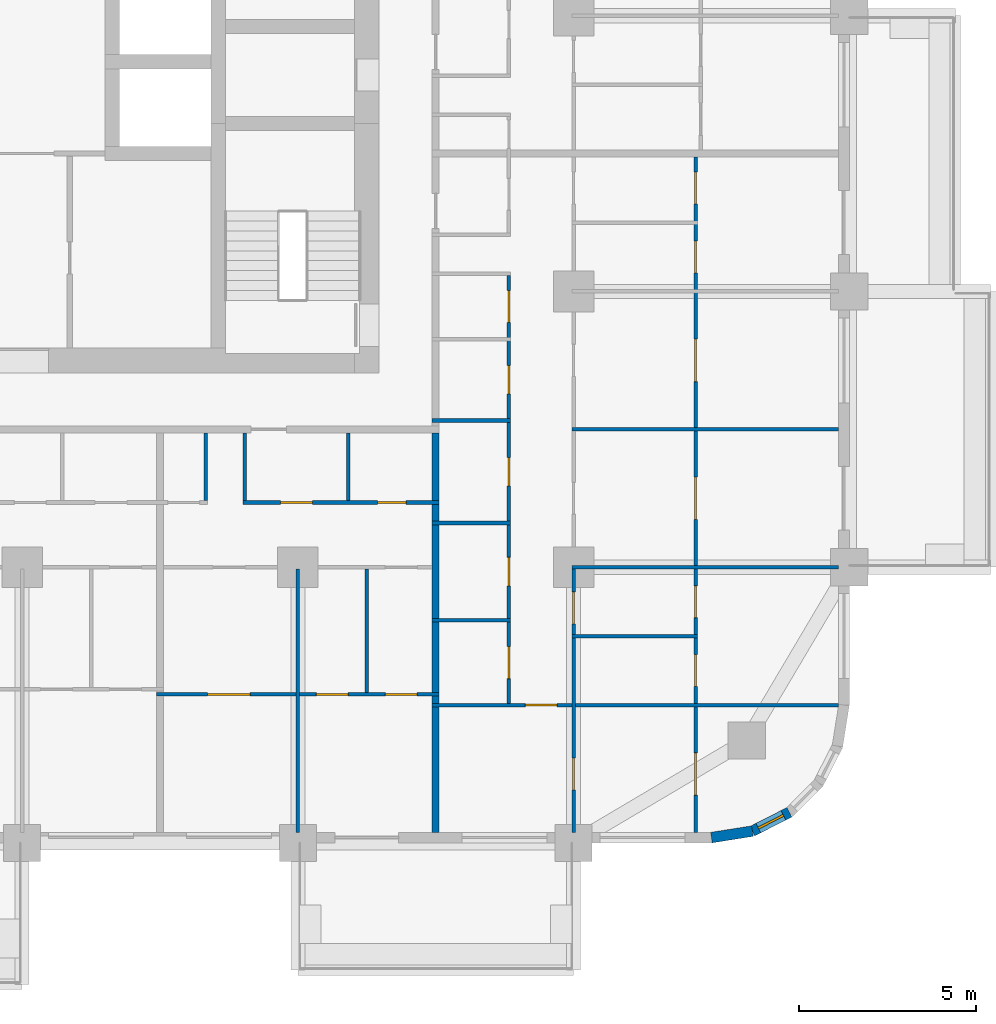
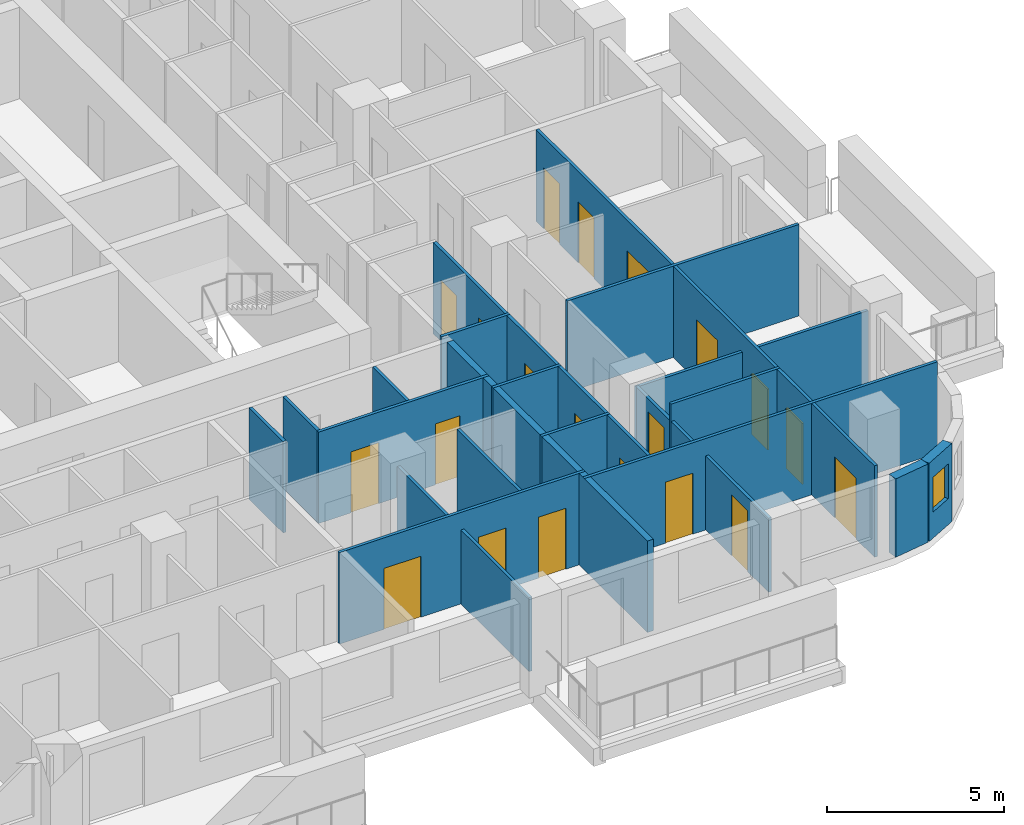
# One storey, part 7 of 17: 20 doors, 20 walls, 1 window, 21 openings.
"""IFC4 building model written with IfcOpenShell, lengths in metres."""

from ifc_helpers import new_model, si_unit, direction, frame, frame_2d, origin, place, context, subcontext, project, spatial, rectangle, extrude, material, layer, layer_set, type_object, element, fill, save


model = new_model("IFC4")

# Units and contexts
model_context = context("Model", 3, precision=1e-05, world=origin(), true_north=direction((0.0, 1.0)))
body_context = subcontext(model_context, "Body", "Model", "MODEL_VIEW")
ifc_project = project(units=[si_unit("LENGTHUNIT", "METRE"), si_unit("AREAUNIT", "SQUARE_METRE"), si_unit("VOLUMEUNIT", "CUBIC_METRE"), si_unit("PLANEANGLEUNIT", "RADIAN"), si_unit("MASSUNIT", "GRAM", prefix="KILO")], contexts=[model_context])

# Site, building, storey
site_placement = place(None, origin())
site = spatial("IfcSite", under=ifc_project, at=site_placement, CompositionType="ELEMENT")
building_placement = place(site_placement, origin())
building = spatial("IfcBuilding", under=site, at=building_placement, Name="Ludao Terraces", CompositionType="ELEMENT")
storey_placement = place(building_placement, frame((0.0, 0.0, 22.89990234375)))
storey = spatial("IfcBuildingStorey", under=building, at=storey_placement, Name="L05", CompositionType="ELEMENT", Elevation=22.89990234375)

# Wall
ifc_material_1 = material(Name="Granite cladding", Category="masonry")
ifc_layer_1 = layer(ifc_material_1, 0.0400390625, Category="stone")
ifc_material_2 = material(Name="Mineral wool")
ifc_layer_2 = layer(ifc_material_2, 0.06005859375)
ifc_material_3 = material(Name="Concrete C40", Category="concrete")
ifc_layer_3 = layer(ifc_material_3, 0.199951171875, Category="concrete")
ifc_layer_set_1 = layer_set([ifc_layer_1, ifc_layer_2, ifc_layer_3], Name="ENV Stone-clad wall 300")
wall_type_1 = type_object("IfcWallType", Name="ENV Stone-clad wall 300", PredefinedType="SOLIDWALL", material=ifc_layer_set_1)
wall_1_placement = place(storey_placement, frame((104.5, 41.75, 0.0), z_axis=(0.0, 0.0, 1.0), x_axis=(0.987678452879, 0.156496880861, 0.0)))
element("IfcWall", 1, at=wall_1_placement, inside=storey, type_object=wall_type_1, Name="EW-L05-SE1", PredefinedType="SOLIDWALL", context=body_context, shape_type="SweptSolid", body=[
    extrude(rectangle(XDim=1.173095703125, YDim=0.300048828125, at=frame_2d((0.58642578125, 0.0))), origin(), (0.0, 0.0, 1.0), 2.7001953125),
])

# Wall, opening, window
wall_2_placement = place(storey_placement, frame((105.65869140625, 41.93359375, 0.0), z_axis=(0.0, 0.0, 1.0), x_axis=(0.890988677504, 0.454025524128, 0.0)))
wall_2 = element("IfcWall", 2, at=wall_2_placement, inside=storey, type_object=wall_type_1, Name="EW-L05-SE2", PredefinedType="SOLIDWALL", context=body_context, shape_type="SweptSolid", body=[
    extrude(rectangle(XDim=1.17333984375, YDim=0.300048828125, at=frame_2d((0.586669921875, 0.0))), origin(), (0.0, 0.0, 1.0), 2.7001953125),
])
opening_1_placement = place(wall_2_placement, frame((0.1865234375, 0.0, 0.89990234375)))
opening_1 = element("IfcOpeningElement", 3, at=opening_1_placement, cuts=wall_2, Name="Opening W3", PredefinedType="OPENING", context=body_context, shape_type="SweptSolid", body=[
    extrude(rectangle(XDim=0.800048828125, YDim=1.199951171875, at=frame_2d((0.39990234375, 0.60009765625))), frame((0.0, 0.16015625, 0.0), z_axis=(0.0, -1.0, 0.0), x_axis=(1.0, 0.0, 0.0)), (0.0, 0.0, 1.0), 0.320068359375),
])
ifc_material_4 = material(Name="Clear glass in aluminium frame", Category="aluminium")
ifc_layer_4 = layer(ifc_material_4, 0.06005859375)
ifc_layer_set_2 = layer_set([ifc_layer_4], Name="ENV Window W3 800x1200")
window_type = type_object("IfcWindowType", Name="ENV Window W3 800x1200", PartitioningType="SINGLE_PANEL", PredefinedType="WINDOW", material=ifc_layer_set_2)
window_placement = place(opening_1_placement, origin())
window = element("IfcWindow", 4, at=window_placement, inside=storey, type_object=window_type, Name="W-L05-SE2", OverallHeight=1.199951171875, OverallWidth=0.800048828125, PartitioningType="SINGLE_PANEL", PredefinedType="WINDOW", context=body_context, shape_type="SweptSolid", body=[
    extrude(rectangle(XDim=0.800048828125, YDim=1.199951171875, at=frame_2d((0.39990234375, 0.60009765625))), frame((0.0, 0.030029296875, 0.0), z_axis=(0.0, -1.0, 0.0), x_axis=(1.0, 0.0, 0.0)), (0.0, 0.0, 1.0), 0.06005859375),
])
fill(opening_1, window)

# Wall, opening, door
ifc_material_5 = material(Name="Gypsum plasterboard", Category="gypsum")
ifc_layer_5 = layer(ifc_material_5, 0.012451171875, Category="gypsum")
ifc_layer_6 = layer(ifc_material_2, 0.06005859375, Name="insulation")
ifc_material_6 = material(Name="Steel Q235", Category="steel")
ifc_layer_7 = layer(ifc_material_6, 0.014892578125, Name="stud")
ifc_layer_8 = layer(ifc_material_5, 0.012451171875, Category="gypsum")
ifc_layer_set_3 = layer_set([ifc_layer_5, ifc_layer_6, ifc_layer_7, ifc_layer_8], Name="INT Partition 100")
wall_type_2 = type_object("IfcWallType", Name="INT Partition 100", PredefinedType="PARTITIONING", material=ifc_layer_set_3)
wall_3_placement = place(storey_placement, frame((96.60009765625, 45.5, 0.0), z_axis=(0.0, 0.0, 1.0), x_axis=(1.0, 0.0, 0.0)))
wall_3 = element("IfcWall", 5, at=wall_3_placement, inside=storey, type_object=wall_type_2, Name="PW-L05-PW001", PredefinedType="PARTITIONING", context=body_context, shape_type="SweptSolid", body=[
    extrude(rectangle(XDim=11.5, YDim=0.10009765625, at=frame_2d((5.75, 0.0))), origin(), (0.0, 0.0, 1.0), 3.150146484375),
])
opening_2_placement = place(wall_3_placement, frame((2.635009765625, 0.0, 0.0)))
opening_2 = element("IfcOpeningElement", 6, at=opening_2_placement, cuts=wall_3, Name="Opening R01-006", PredefinedType="OPENING", context=body_context, shape_type="SweptSolid", body=[
    extrude(rectangle(XDim=0.89990234375, YDim=2.10009765625, at=frame_2d((0.449951171875, 1.050048828125))), frame((0.0, 0.06005859375, 0.0), z_axis=(0.0, -1.0, 0.0), x_axis=(1.0, 0.0, 0.0)), (0.0, 0.0, 1.0), 0.1201171875),
])
ifc_material_7 = material(Name="Timber door leaf", Category="wood")
door_type_1 = type_object("IfcDoorType", Name="INT Room door 900", OperationType="SINGLE_SWING_LEFT", PredefinedType="DOOR", material=ifc_material_7)
door_1_placement = place(opening_2_placement, origin())
door_1 = element("IfcDoor", 7, at=door_1_placement, inside=storey, type_object=door_type_1, Name="DOOR 006", OperationType="SINGLE_SWING_LEFT", OverallHeight=2.10009765625, OverallWidth=0.89990234375, PredefinedType="DOOR", context=body_context, shape_type="SweptSolid", body=[
    extrude(rectangle(XDim=0.89990234375, YDim=2.10009765625, at=frame_2d((0.449951171875, 1.050048828125))), frame((0.0, 0.02490234375, 0.0), z_axis=(0.0, -1.0, 0.0), x_axis=(1.0, 0.0, 0.0)), (0.0, 0.0, 1.0), 0.050048828125),
])
fill(opening_2, door_1)

# Wall, openings, doors
wall_4_placement = place(storey_placement, frame((88.800048828125, 45.800048828125, 0.0), z_axis=(0.0, 0.0, 1.0), x_axis=(1.0, 0.0, 0.0)))
wall_4 = element("IfcWall", 8, at=wall_4_placement, inside=storey, type_object=wall_type_2, Name="PW-L05-PW002", PredefinedType="PARTITIONING", context=body_context, shape_type="SweptSolid", body=[
    extrude(rectangle(XDim=8.0, YDim=0.10009765625, at=frame_2d((4.0, 0.0))), origin(), (0.0, 0.0, 1.0), 3.150146484375),
])
opening_3_placement = place(wall_4_placement, frame((1.449951171875, 0.0, 0.0)))
opening_3 = element("IfcOpeningElement", 9, at=opening_3_placement, cuts=wall_4, Name="Opening R01-007", PredefinedType="OPENING", context=body_context, shape_type="SweptSolid", body=[
    extrude(rectangle(XDim=1.199951171875, YDim=2.10009765625, at=frame_2d((0.60009765625, 1.050048828125))), frame((0.0, 0.06005859375, 0.0), z_axis=(0.0, -1.0, 0.0), x_axis=(1.0, 0.0, 0.0)), (0.0, 0.0, 1.0), 0.1201171875),
])
opening_4_placement = place(wall_4_placement, frame((4.52490234375, 0.0, 0.0)))
opening_4 = element("IfcOpeningElement", 10, at=opening_4_placement, cuts=wall_4, Name="Opening R01-008", PredefinedType="OPENING", context=body_context, shape_type="SweptSolid", body=[
    extrude(rectangle(XDim=0.89990234375, YDim=2.10009765625, at=frame_2d((0.449951171875, 1.050048828125))), frame((0.0, 0.06005859375, 0.0), z_axis=(0.0, -1.0, 0.0), x_axis=(1.0, 0.0, 0.0)), (0.0, 0.0, 1.0), 0.1201171875),
])
opening_5_placement = place(wall_4_placement, frame((6.47509765625, 0.0, 0.0)))
opening_5 = element("IfcOpeningElement", 11, at=opening_5_placement, cuts=wall_4, Name="Opening R01-009", PredefinedType="OPENING", context=body_context, shape_type="SweptSolid", body=[
    extrude(rectangle(XDim=0.89990234375, YDim=2.10009765625, at=frame_2d((0.449951171875, 1.050048828125))), frame((0.0, 0.06005859375, 0.0), z_axis=(0.0, -1.0, 0.0), x_axis=(1.0, 0.0, 0.0)), (0.0, 0.0, 1.0), 0.1201171875),
])
door_type_2 = type_object("IfcDoorType", Name="INT Bathroom door 900", OperationType="SINGLE_SWING_LEFT", PredefinedType="DOOR", material=ifc_material_7)
door_2_placement = place(opening_4_placement, origin())
door_2 = element("IfcDoor", 12, at=door_2_placement, inside=storey, type_object=door_type_2, Name="DOOR 008", OperationType="SINGLE_SWING_LEFT", OverallHeight=2.10009765625, OverallWidth=0.89990234375, PredefinedType="DOOR", context=body_context, shape_type="SweptSolid", body=[
    extrude(rectangle(XDim=0.89990234375, YDim=2.10009765625, at=frame_2d((0.449951171875, 1.050048828125))), frame((0.0, 0.02490234375, 0.0), z_axis=(0.0, -1.0, 0.0), x_axis=(1.0, 0.0, 0.0)), (0.0, 0.0, 1.0), 0.050048828125),
])
fill(opening_4, door_2)
door_type_3 = type_object("IfcDoorType", Name="INT Double door 1200", OperationType="DOUBLE_DOOR_SINGLE_SWING", PredefinedType="DOOR", material=ifc_material_7)
door_3_placement = place(opening_3_placement, origin())
door_3 = element("IfcDoor", 13, at=door_3_placement, inside=storey, type_object=door_type_3, Name="DOOR 007", OperationType="DOUBLE_DOOR_SINGLE_SWING", OverallHeight=2.10009765625, OverallWidth=1.199951171875, PredefinedType="DOOR", context=body_context, shape_type="SweptSolid", body=[
    extrude(rectangle(XDim=1.199951171875, YDim=2.10009765625, at=frame_2d((0.60009765625, 1.050048828125))), frame((0.0, 0.02490234375, 0.0), z_axis=(0.0, -1.0, 0.0), x_axis=(1.0, 0.0, 0.0)), (0.0, 0.0, 1.0), 0.050048828125),
])
fill(opening_3, door_3)
door_4_placement = place(opening_5_placement, origin())
door_4 = element("IfcDoor", 14, at=door_4_placement, inside=storey, type_object=door_type_1, Name="DOOR 009", OperationType="SINGLE_SWING_RIGHT", OverallHeight=2.10009765625, OverallWidth=0.89990234375, PredefinedType="DOOR", context=body_context, shape_type="SweptSolid", body=[
    extrude(rectangle(XDim=0.89990234375, YDim=2.10009765625, at=frame_2d((0.449951171875, 1.050048828125))), frame((0.0, 0.02490234375, 0.0), z_axis=(0.0, -1.0, 0.0), x_axis=(1.0, 0.0, 0.0)), (0.0, 0.0, 1.0), 0.050048828125),
])
fill(opening_5, door_4)

# Walls
wall_5_placement = place(storey_placement, frame((100.550048828125, 47.449951171875, 0.0), z_axis=(0.0, 0.0, 1.0), x_axis=(1.0, 0.0, 0.0)))
element("IfcWall", 15, at=wall_5_placement, inside=storey, type_object=wall_type_2, Name="PW-L05-PW004", PredefinedType="PARTITIONING", context=body_context, shape_type="SweptSolid", body=[
    extrude(rectangle(XDim=3.550048828125, YDim=0.10009765625, at=frame_2d((1.77490234375, 0.0))), origin(), (0.0, 0.0, 1.0), 3.150146484375),
])
wall_6_placement = place(storey_placement, frame((96.60009765625, 47.89990234375, 0.0), z_axis=(0.0, 0.0, 1.0), x_axis=(1.0, 0.0, 0.0)))
element("IfcWall", 16, at=wall_6_placement, inside=storey, type_object=wall_type_2, Name="PW-L05-PW006", PredefinedType="PARTITIONING", context=body_context, shape_type="SweptSolid", body=[
    extrude(rectangle(XDim=2.219970703125, YDim=0.10009765625, at=frame_2d((1.10986328125, 0.0))), origin(), (0.0, 0.0, 1.0), 3.150146484375),
])
wall_7_placement = place(storey_placement, frame((100.550048828125, 49.39990234375, 0.0), z_axis=(0.0, 0.0, 1.0), x_axis=(1.0, 0.0, 0.0)))
element("IfcWall", 17, at=wall_7_placement, inside=storey, type_object=wall_type_2, Name="PW-L05-PW009", PredefinedType="PARTITIONING", context=body_context, shape_type="SweptSolid", body=[
    extrude(rectangle(XDim=7.550048828125, YDim=0.10009765625, at=frame_2d((3.77490234375, 0.0))), origin(), (0.0, 0.0, 1.0), 2.550048828125),
])
wall_8_placement = place(storey_placement, frame((96.60009765625, 50.64990234375, 0.0), z_axis=(0.0, 0.0, 1.0), x_axis=(1.0, 0.0, 0.0)))
element("IfcWall", 18, at=wall_8_placement, inside=storey, type_object=wall_type_2, Name="PW-L05-PW011", PredefinedType="PARTITIONING", context=body_context, shape_type="SweptSolid", body=[
    extrude(rectangle(XDim=2.219970703125, YDim=0.10009765625, at=frame_2d((1.10986328125, 0.0))), origin(), (0.0, 0.0, 1.0), 3.150146484375),
])

# Wall, openings, doors
wall_9_placement = place(storey_placement, frame((91.25, 51.22998046875, 0.0), z_axis=(0.0, 0.0, 1.0), x_axis=(1.0, 0.0, 0.0)))
wall_9 = element("IfcWall", 19, at=wall_9_placement, inside=storey, type_object=wall_type_2, Name="PW-L05-PW014", PredefinedType="PARTITIONING", context=body_context, shape_type="SweptSolid", body=[
    extrude(rectangle(XDim=5.550048828125, YDim=0.10009765625, at=frame_2d((2.77490234375, 0.0))), origin(), (0.0, 0.0, 1.0), 3.150146484375),
])
opening_6_placement = place(wall_9_placement, frame((1.06005859375, 0.0, 0.0)))
opening_6 = element("IfcOpeningElement", 20, at=opening_6_placement, cuts=wall_9, Name="Opening R01-039", PredefinedType="OPENING", context=body_context, shape_type="SweptSolid", body=[
    extrude(rectangle(XDim=0.89990234375, YDim=2.10009765625, at=frame_2d((0.449951171875, 1.050048828125))), frame((0.0, 0.06005859375, 0.0), z_axis=(0.0, -1.0, 0.0), x_axis=(1.0, 0.0, 0.0)), (0.0, 0.0, 1.0), 0.1201171875),
])
opening_7_placement = place(wall_9_placement, frame((3.81005859375, 0.0, 0.0)))
opening_7 = element("IfcOpeningElement", 21, at=opening_7_placement, cuts=wall_9, Name="Opening R01-040", PredefinedType="OPENING", context=body_context, shape_type="SweptSolid", body=[
    extrude(rectangle(XDim=0.800048828125, YDim=2.10009765625, at=frame_2d((0.39990234375, 1.050048828125))), frame((0.0, 0.06005859375, 0.0), z_axis=(0.0, -1.0, 0.0), x_axis=(1.0, 0.0, 0.0)), (0.0, 0.0, 1.0), 0.1201171875),
])
door_5_placement = place(opening_6_placement, origin())
door_5 = element("IfcDoor", 22, at=door_5_placement, inside=storey, type_object=door_type_1, Name="DOOR 039", OperationType="SINGLE_SWING_LEFT", OverallHeight=2.10009765625, OverallWidth=0.89990234375, PredefinedType="DOOR", context=body_context, shape_type="SweptSolid", body=[
    extrude(rectangle(XDim=0.89990234375, YDim=2.10009765625, at=frame_2d((0.449951171875, 1.050048828125))), frame((0.0, 0.02490234375, 0.0), z_axis=(0.0, -1.0, 0.0), x_axis=(1.0, 0.0, 0.0)), (0.0, 0.0, 1.0), 0.050048828125),
])
fill(opening_6, door_5)
door_type_4 = type_object("IfcDoorType", Name="INT Store door 800", OperationType="SINGLE_SWING_LEFT", PredefinedType="DOOR", material=ifc_material_7)
door_6_placement = place(opening_7_placement, origin())
door_6 = element("IfcDoor", 23, at=door_6_placement, inside=storey, type_object=door_type_4, Name="DOOR 040", OperationType="SINGLE_SWING_RIGHT", OverallHeight=2.10009765625, OverallWidth=0.800048828125, PredefinedType="DOOR", context=body_context, shape_type="SweptSolid", body=[
    extrude(rectangle(XDim=0.800048828125, YDim=2.10009765625, at=frame_2d((0.39990234375, 1.050048828125))), frame((0.0, 0.02490234375, 0.0), z_axis=(0.0, -1.0, 0.0), x_axis=(1.0, 0.0, 0.0)), (0.0, 0.0, 1.0), 0.050048828125),
])
fill(opening_7, door_6)

# Walls
wall_10_placement = place(storey_placement, frame((100.550048828125, 53.300048828125, 0.0), z_axis=(0.0, 0.0, 1.0), x_axis=(1.0, 0.0, 0.0)))
element("IfcWall", 24, at=wall_10_placement, inside=storey, type_object=wall_type_2, Name="PW-L05-PW018", PredefinedType="PARTITIONING", context=body_context, shape_type="SweptSolid", body=[
    extrude(rectangle(XDim=7.550048828125, YDim=0.10009765625, at=frame_2d((3.77490234375, 0.0))), origin(), (0.0, 0.0, 1.0), 3.150146484375),
])
wall_11_placement = place(storey_placement, frame((96.60009765625, 53.550048828125, 0.0), z_axis=(0.0, 0.0, 1.0), x_axis=(1.0, 0.0, 0.0)))
element("IfcWall", 25, at=wall_11_placement, inside=storey, type_object=wall_type_2, Name="PW-L05-PW019", PredefinedType="PARTITIONING", context=body_context, shape_type="SweptSolid", body=[
    extrude(rectangle(XDim=2.219970703125, YDim=0.10009765625, at=frame_2d((1.10986328125, 0.0))), origin(), (0.0, 0.0, 1.0), 3.150146484375),
])
for number, where, z_axis, x_axis, name in (
    (26, (90.199951171875, 51.280029296875, 0.0), (0.0, 0.0, 1.0), (0.0, 1.0, 0.0), "PW-L05-PW103"),
    (27, (91.300048828125, 51.280029296875, 0.0), (0.0, 0.0, 1.0), (0.0, 1.0, 0.0), "PW-L05-PW104"),
):
    element("IfcWall", number, at=place(storey_placement, frame(where, z_axis=z_axis, x_axis=x_axis)), inside=storey, type_object=wall_type_2, Name=name, PredefinedType="PARTITIONING", context=body_context, shape_type="SweptSolid", body=[
        extrude(rectangle(XDim=1.920166015625, YDim=0.10009765625, at=frame_2d((0.9599609375, 0.0))), origin(), (0.0, 0.0, 1.0), 3.150146484375),
    ])
wall_12_placement = place(storey_placement, frame((92.800048828125, 41.900146484375, 0.0), z_axis=(0.0, 0.0, 1.0), x_axis=(0.0, 1.0, 0.0)))
element("IfcWall", 28, at=wall_12_placement, inside=storey, type_object=wall_type_2, Name="PW-L05-PW105", PredefinedType="PARTITIONING", context=body_context, shape_type="SweptSolid", body=[
    extrude(rectangle(XDim=7.449951171875, YDim=0.10009765625, at=frame_2d((3.72509765625, 0.0))), origin(), (0.0, 0.0, 1.0), 2.550048828125),
])
wall_13_placement = place(storey_placement, frame((94.219970703125, 51.280029296875, 0.0), z_axis=(0.0, 0.0, 1.0), x_axis=(0.0, 1.0, 0.0)))
element("IfcWall", 29, at=wall_13_placement, inside=storey, type_object=wall_type_2, Name="PW-L05-PW107", PredefinedType="PARTITIONING", context=body_context, shape_type="SweptSolid", body=[
    extrude(rectangle(XDim=1.920166015625, YDim=0.10009765625, at=frame_2d((0.9599609375, 0.0))), origin(), (0.0, 0.0, 1.0), 3.150146484375),
])
wall_14_placement = place(storey_placement, frame((94.75, 45.85009765625, 0.0), z_axis=(0.0, 0.0, 1.0), x_axis=(0.0, 1.0, 0.0)))
element("IfcWall", 30, at=wall_14_placement, inside=storey, type_object=wall_type_2, Name="PW-L05-PW108", PredefinedType="PARTITIONING", context=body_context, shape_type="SweptSolid", body=[
    extrude(rectangle(XDim=3.5, YDim=0.10009765625, at=frame_2d((1.75, 0.0))), origin(), (0.0, 0.0, 1.0), 3.150146484375),
])

# Wall, openings, doors
wall_15_placement = place(storey_placement, frame((98.77001953125, 45.550048828125, 0.0), z_axis=(0.0, 0.0, 1.0), x_axis=(0.0, 1.0, 0.0)))
wall_15 = element("IfcWall", 31, at=wall_15_placement, inside=storey, type_object=wall_type_2, Name="PW-L05-PW112", PredefinedType="PARTITIONING", context=body_context, shape_type="SweptSolid", body=[
    extrude(rectangle(XDim=12.10009765625, YDim=0.10009765625, at=frame_2d((6.050048828125, 0.0))), origin(), (0.0, 0.0, 1.0), 3.150146484375),
])
opening_8_placement = place(wall_15_placement, frame((0.699951171875, 0.0, 0.0)))
opening_8 = element("IfcOpeningElement", 32, at=opening_8_placement, cuts=wall_15, Name="Opening R01-018", PredefinedType="OPENING", context=body_context, shape_type="SweptSolid", body=[
    extrude(rectangle(XDim=0.89990234375, YDim=2.10009765625, at=frame_2d((0.449951171875, 1.050048828125))), frame((0.0, 0.06005859375, 0.0), z_axis=(0.0, -1.0, 0.0), x_axis=(1.0, 0.0, 0.0)), (0.0, 0.0, 1.0), 0.1201171875),
])
opening_9_placement = place(wall_15_placement, frame((3.324951171875, 0.0, 0.0)))
opening_9 = element("IfcOpeningElement", 33, at=opening_9_placement, cuts=wall_15, Name="Opening R01-024", PredefinedType="OPENING", context=body_context, shape_type="SweptSolid", body=[
    extrude(rectangle(XDim=0.800048828125, YDim=2.10009765625, at=frame_2d((0.39990234375, 1.050048828125))), frame((0.0, 0.06005859375, 0.0), z_axis=(0.0, -1.0, 0.0), x_axis=(1.0, 0.0, 0.0)), (0.0, 0.0, 1.0), 0.1201171875),
])
opening_10_placement = place(wall_15_placement, frame((6.14990234375, 0.0, 0.0)))
opening_10 = element("IfcOpeningElement", 34, at=opening_10_placement, cuts=wall_15, Name="Opening R01-045", PredefinedType="OPENING", context=body_context, shape_type="SweptSolid", body=[
    extrude(rectangle(XDim=0.800048828125, YDim=2.10009765625, at=frame_2d((0.39990234375, 1.050048828125))), frame((0.0, 0.06005859375, 0.0), z_axis=(0.0, -1.0, 0.0), x_axis=(1.0, 0.0, 0.0)), (0.0, 0.0, 1.0), 0.1201171875),
])
opening_11_placement = place(wall_15_placement, frame((8.75, 0.0, 0.0)))
opening_11 = element("IfcOpeningElement", 35, at=opening_11_placement, cuts=wall_15, Name="Opening R01-050", PredefinedType="OPENING", context=body_context, shape_type="SweptSolid", body=[
    extrude(rectangle(XDim=0.800048828125, YDim=2.10009765625, at=frame_2d((0.39990234375, 1.050048828125))), frame((0.0, 0.06005859375, 0.0), z_axis=(0.0, -1.0, 0.0), x_axis=(1.0, 0.0, 0.0)), (0.0, 0.0, 1.0), 0.1201171875),
])
opening_12_placement = place(wall_15_placement, frame((10.77490234375, 0.0, 0.0)))
opening_12 = element("IfcOpeningElement", 36, at=opening_12_placement, cuts=wall_15, Name="Opening R01-058", PredefinedType="OPENING", context=body_context, shape_type="SweptSolid", body=[
    extrude(rectangle(XDim=0.89990234375, YDim=2.10009765625, at=frame_2d((0.449951171875, 1.050048828125))), frame((0.0, 0.06005859375, 0.0), z_axis=(0.0, -1.0, 0.0), x_axis=(1.0, 0.0, 0.0)), (0.0, 0.0, 1.0), 0.1201171875),
])
door_7_placement = place(opening_8_placement, origin())
door_7 = element("IfcDoor", 37, at=door_7_placement, inside=storey, type_object=door_type_2, Name="DOOR 018", OperationType="SINGLE_SWING_RIGHT", OverallHeight=2.10009765625, OverallWidth=0.89990234375, PredefinedType="DOOR", context=body_context, shape_type="SweptSolid", body=[
    extrude(rectangle(XDim=0.89990234375, YDim=2.10009765625, at=frame_2d((0.449951171875, 1.050048828125))), frame((0.0, 0.02490234375, 0.0), z_axis=(0.0, -1.0, 0.0), x_axis=(1.0, 0.0, 0.0)), (0.0, 0.0, 1.0), 0.050048828125),
])
fill(opening_8, door_7)
door_8_placement = place(opening_12_placement, origin())
door_8 = element("IfcDoor", 38, at=door_8_placement, inside=storey, type_object=door_type_2, Name="DOOR 058", OperationType="SINGLE_SWING_LEFT", OverallHeight=2.10009765625, OverallWidth=0.89990234375, PredefinedType="DOOR", context=body_context, shape_type="SweptSolid", body=[
    extrude(rectangle(XDim=0.89990234375, YDim=2.10009765625, at=frame_2d((0.449951171875, 1.050048828125))), frame((0.0, 0.02490234375, 0.0), z_axis=(0.0, -1.0, 0.0), x_axis=(1.0, 0.0, 0.0)), (0.0, 0.0, 1.0), 0.050048828125),
])
fill(opening_12, door_8)
door_9_placement = place(opening_9_placement, origin())
door_9 = element("IfcDoor", 39, at=door_9_placement, inside=storey, type_object=door_type_4, Name="DOOR 024", OperationType="SINGLE_SWING_LEFT", OverallHeight=2.10009765625, OverallWidth=0.800048828125, PredefinedType="DOOR", context=body_context, shape_type="SweptSolid", body=[
    extrude(rectangle(XDim=0.800048828125, YDim=2.10009765625, at=frame_2d((0.39990234375, 1.050048828125))), frame((0.0, 0.02490234375, 0.0), z_axis=(0.0, -1.0, 0.0), x_axis=(1.0, 0.0, 0.0)), (0.0, 0.0, 1.0), 0.050048828125),
])
fill(opening_9, door_9)
door_10_placement = place(opening_10_placement, origin())
door_10 = element("IfcDoor", 40, at=door_10_placement, inside=storey, type_object=door_type_4, Name="DOOR 045", OperationType="SINGLE_SWING_LEFT", OverallHeight=2.10009765625, OverallWidth=0.800048828125, PredefinedType="DOOR", context=body_context, shape_type="SweptSolid", body=[
    extrude(rectangle(XDim=0.800048828125, YDim=2.10009765625, at=frame_2d((0.39990234375, 1.050048828125))), frame((0.0, 0.02490234375, 0.0), z_axis=(0.0, -1.0, 0.0), x_axis=(1.0, 0.0, 0.0)), (0.0, 0.0, 1.0), 0.050048828125),
])
fill(opening_10, door_10)
door_11_placement = place(opening_11_placement, origin())
door_11 = element("IfcDoor", 41, at=door_11_placement, inside=storey, type_object=door_type_4, Name="DOOR 050", OperationType="SINGLE_SWING_LEFT", OverallHeight=2.10009765625, OverallWidth=0.800048828125, PredefinedType="DOOR", context=body_context, shape_type="SweptSolid", body=[
    extrude(rectangle(XDim=0.800048828125, YDim=2.10009765625, at=frame_2d((0.39990234375, 1.050048828125))), frame((0.0, 0.02490234375, 0.0), z_axis=(0.0, -1.0, 0.0), x_axis=(1.0, 0.0, 0.0)), (0.0, 0.0, 1.0), 0.050048828125),
])
fill(opening_11, door_11)

wall_16_placement = place(storey_placement, frame((100.60009765625, 41.900146484375, 0.0), z_axis=(0.0, 0.0, 1.0), x_axis=(0.0, 1.0, 0.0)))
wall_16 = element("IfcWall", 42, at=wall_16_placement, inside=storey, type_object=wall_type_2, Name="PW-L05-PW116", PredefinedType="PARTITIONING", context=body_context, shape_type="SweptSolid", body=[
    extrude(rectangle(XDim=7.499755859375, YDim=0.10009765625, at=frame_2d((3.75, 0.0))), origin(), (0.0, 0.0, 1.0), 2.550048828125),
])
opening_13_placement = place(wall_16_placement, frame((1.199951171875, 0.0, 0.0)))
opening_13 = element("IfcOpeningElement", 43, at=opening_13_placement, cuts=wall_16, Name="Opening R01-003", PredefinedType="OPENING", context=body_context, shape_type="SweptSolid", body=[
    extrude(rectangle(XDim=0.89990234375, YDim=2.10009765625, at=frame_2d((0.449951171875, 1.050048828125))), frame((0.0, 0.06005859375, 0.0), z_axis=(0.0, -1.0, 0.0), x_axis=(1.0, 0.0, 0.0)), (0.0, 0.0, 1.0), 0.1201171875),
])
opening_14_placement = place(wall_16_placement, frame((5.89990234375, 0.0, 0.0)))
opening_14 = element("IfcOpeningElement", 44, at=opening_14_placement, cuts=wall_16, Name="Opening R01-021", PredefinedType="OPENING", context=body_context, shape_type="SweptSolid", body=[
    extrude(rectangle(XDim=0.89990234375, YDim=2.10009765625, at=frame_2d((0.449951171875, 1.050048828125))), frame((0.0, 0.06005859375, 0.0), z_axis=(0.0, -1.0, 0.0), x_axis=(1.0, 0.0, 0.0)), (0.0, 0.0, 1.0), 0.1201171875),
])
door_12_placement = place(opening_13_placement, origin())
door_12 = element("IfcDoor", 45, at=door_12_placement, inside=storey, type_object=door_type_1, Name="DOOR 003", OperationType="SINGLE_SWING_RIGHT", OverallHeight=2.10009765625, OverallWidth=0.89990234375, PredefinedType="DOOR", context=body_context, shape_type="SweptSolid", body=[
    extrude(rectangle(XDim=0.89990234375, YDim=2.10009765625, at=frame_2d((0.449951171875, 1.050048828125))), frame((0.0, 0.02490234375, 0.0), z_axis=(0.0, -1.0, 0.0), x_axis=(1.0, 0.0, 0.0)), (0.0, 0.0, 1.0), 0.050048828125),
])
fill(opening_13, door_12)
door_13_placement = place(opening_14_placement, origin())
door_13 = element("IfcDoor", 46, at=door_13_placement, inside=storey, type_object=door_type_1, Name="DOOR 021", OperationType="SINGLE_SWING_RIGHT", OverallHeight=2.10009765625, OverallWidth=0.89990234375, PredefinedType="DOOR", context=body_context, shape_type="SweptSolid", body=[
    extrude(rectangle(XDim=0.89990234375, YDim=2.10009765625, at=frame_2d((0.449951171875, 1.050048828125))), frame((0.0, 0.02490234375, 0.0), z_axis=(0.0, -1.0, 0.0), x_axis=(1.0, 0.0, 0.0)), (0.0, 0.0, 1.0), 0.050048828125),
])
fill(opening_14, door_13)

wall_17_placement = place(storey_placement, frame((104.050048828125, 41.900146484375, 0.0), z_axis=(0.0, 0.0, 1.0), x_axis=(0.0, 1.0, 0.0)))
wall_17 = element("IfcWall", 47, at=wall_17_placement, inside=storey, type_object=wall_type_2, Name="PW-L05-PW117", PredefinedType="PARTITIONING", context=body_context, shape_type="SweptSolid", body=[
    extrude(rectangle(XDim=19.099853515625, YDim=0.10009765625, at=frame_2d((9.5498046875, 0.0))), origin(), (0.0, 0.0, 1.0), 3.150146484375),
])
opening_15_placement = place(wall_17_placement, frame((1.050048828125, 0.0, 0.0)))
opening_15 = element("IfcOpeningElement", 48, at=opening_15_placement, cuts=wall_17, Name="Opening R01-004", PredefinedType="OPENING", context=body_context, shape_type="SweptSolid", body=[
    extrude(rectangle(XDim=1.199951171875, YDim=2.10009765625, at=frame_2d((0.60009765625, 1.050048828125))), frame((0.0, 0.06005859375, 0.0), z_axis=(0.0, -1.0, 0.0), x_axis=(1.0, 0.0, 0.0)), (0.0, 0.0, 1.0), 0.1201171875),
])
opening_16_placement = place(wall_17_placement, frame((4.125, 0.0, 0.0)))
opening_16 = element("IfcOpeningElement", 49, at=opening_16_placement, cuts=wall_17, Name="Opening R01-016", PredefinedType="OPENING", context=body_context, shape_type="SweptSolid", body=[
    extrude(rectangle(XDim=0.89990234375, YDim=2.10009765625, at=frame_2d((0.449951171875, 1.050048828125))), frame((0.0, 0.06005859375, 0.0), z_axis=(0.0, -1.0, 0.0), x_axis=(1.0, 0.0, 0.0)), (0.0, 0.0, 1.0), 0.1201171875),
])
opening_17_placement = place(wall_17_placement, frame((6.074951171875, 0.0, 0.0)))
opening_17 = element("IfcOpeningElement", 50, at=opening_17_placement, cuts=wall_17, Name="Opening R01-022", PredefinedType="OPENING", context=body_context, shape_type="SweptSolid", body=[
    extrude(rectangle(XDim=0.89990234375, YDim=2.10009765625, at=frame_2d((0.449951171875, 1.050048828125))), frame((0.0, 0.06005859375, 0.0), z_axis=(0.0, -1.0, 0.0), x_axis=(1.0, 0.0, 0.0)), (0.0, 0.0, 1.0), 0.1201171875),
])
opening_18_placement = place(wall_17_placement, frame((8.85009765625, 0.0, 0.0)))
opening_18 = element("IfcOpeningElement", 51, at=opening_18_placement, cuts=wall_17, Name="Opening R01-044", PredefinedType="OPENING", context=body_context, shape_type="SweptSolid", body=[
    extrude(rectangle(XDim=1.199951171875, YDim=2.10009765625, at=frame_2d((0.60009765625, 1.050048828125))), frame((0.0, 0.06005859375, 0.0), z_axis=(0.0, -1.0, 0.0), x_axis=(1.0, 0.0, 0.0)), (0.0, 0.0, 1.0), 0.1201171875),
])
opening_19_placement = place(wall_17_placement, frame((12.75, 0.0, 0.0)))
opening_19 = element("IfcOpeningElement", 52, at=opening_19_placement, cuts=wall_17, Name="Opening R01-053", PredefinedType="OPENING", context=body_context, shape_type="SweptSolid", body=[
    extrude(rectangle(XDim=1.199951171875, YDim=2.10009765625, at=frame_2d((0.60009765625, 1.050048828125))), frame((0.0, 0.06005859375, 0.0), z_axis=(0.0, -1.0, 0.0), x_axis=(1.0, 0.0, 0.0)), (0.0, 0.0, 1.0), 0.1201171875),
])
opening_20_placement = place(wall_17_placement, frame((15.824951171875, 0.0, 0.0)))
opening_20 = element("IfcOpeningElement", 53, at=opening_20_placement, cuts=wall_17, Name="Opening R01-062", PredefinedType="OPENING", context=body_context, shape_type="SweptSolid", body=[
    extrude(rectangle(XDim=0.89990234375, YDim=2.10009765625, at=frame_2d((0.449951171875, 1.050048828125))), frame((0.0, 0.06005859375, 0.0), z_axis=(0.0, -1.0, 0.0), x_axis=(1.0, 0.0, 0.0)), (0.0, 0.0, 1.0), 0.1201171875),
])
opening_21_placement = place(wall_17_placement, frame((17.77490234375, 0.0, 0.0)))
opening_21 = element("IfcOpeningElement", 54, at=opening_21_placement, cuts=wall_17, Name="Opening R01-069", PredefinedType="OPENING", context=body_context, shape_type="SweptSolid", body=[
    extrude(rectangle(XDim=0.89990234375, YDim=2.10009765625, at=frame_2d((0.449951171875, 1.050048828125))), frame((0.0, 0.06005859375, 0.0), z_axis=(0.0, -1.0, 0.0), x_axis=(1.0, 0.0, 0.0)), (0.0, 0.0, 1.0), 0.1201171875),
])
door_14_placement = place(opening_16_placement, origin())
door_14 = element("IfcDoor", 55, at=door_14_placement, inside=storey, type_object=door_type_2, Name="DOOR 016", OperationType="SINGLE_SWING_LEFT", OverallHeight=2.10009765625, OverallWidth=0.89990234375, PredefinedType="DOOR", context=body_context, shape_type="SweptSolid", body=[
    extrude(rectangle(XDim=0.89990234375, YDim=2.10009765625, at=frame_2d((0.449951171875, 1.050048828125))), frame((0.0, 0.02490234375, 0.0), z_axis=(0.0, -1.0, 0.0), x_axis=(1.0, 0.0, 0.0)), (0.0, 0.0, 1.0), 0.050048828125),
])
fill(opening_16, door_14)
door_15_placement = place(opening_20_placement, origin())
door_15 = element("IfcDoor", 56, at=door_15_placement, inside=storey, type_object=door_type_2, Name="DOOR 062", OperationType="SINGLE_SWING_RIGHT", OverallHeight=2.10009765625, OverallWidth=0.89990234375, PredefinedType="DOOR", context=body_context, shape_type="SweptSolid", body=[
    extrude(rectangle(XDim=0.89990234375, YDim=2.10009765625, at=frame_2d((0.449951171875, 1.050048828125))), frame((0.0, 0.02490234375, 0.0), z_axis=(0.0, -1.0, 0.0), x_axis=(1.0, 0.0, 0.0)), (0.0, 0.0, 1.0), 0.050048828125),
])
fill(opening_20, door_15)
door_16_placement = place(opening_15_placement, origin())
door_16 = element("IfcDoor", 57, at=door_16_placement, inside=storey, type_object=door_type_3, Name="DOOR 004", OperationType="DOUBLE_DOOR_SINGLE_SWING", OverallHeight=2.10009765625, OverallWidth=1.199951171875, PredefinedType="DOOR", context=body_context, shape_type="SweptSolid", body=[
    extrude(rectangle(XDim=1.199951171875, YDim=2.10009765625, at=frame_2d((0.60009765625, 1.050048828125))), frame((0.0, 0.02490234375, 0.0), z_axis=(0.0, -1.0, 0.0), x_axis=(1.0, 0.0, 0.0)), (0.0, 0.0, 1.0), 0.050048828125),
])
fill(opening_15, door_16)
door_17_placement = place(opening_18_placement, origin())
door_17 = element("IfcDoor", 58, at=door_17_placement, inside=storey, type_object=door_type_3, Name="DOOR 044", OperationType="DOUBLE_DOOR_SINGLE_SWING", OverallHeight=2.10009765625, OverallWidth=1.199951171875, PredefinedType="DOOR", context=body_context, shape_type="SweptSolid", body=[
    extrude(rectangle(XDim=1.199951171875, YDim=2.10009765625, at=frame_2d((0.60009765625, 1.050048828125))), frame((0.0, 0.02490234375, 0.0), z_axis=(0.0, -1.0, 0.0), x_axis=(1.0, 0.0, 0.0)), (0.0, 0.0, 1.0), 0.050048828125),
])
fill(opening_18, door_17)
door_18_placement = place(opening_19_placement, origin())
door_18 = element("IfcDoor", 59, at=door_18_placement, inside=storey, type_object=door_type_3, Name="DOOR 053", OperationType="DOUBLE_DOOR_SINGLE_SWING", OverallHeight=2.10009765625, OverallWidth=1.199951171875, PredefinedType="DOOR", context=body_context, shape_type="SweptSolid", body=[
    extrude(rectangle(XDim=1.199951171875, YDim=2.10009765625, at=frame_2d((0.60009765625, 1.050048828125))), frame((0.0, 0.02490234375, 0.0), z_axis=(0.0, -1.0, 0.0), x_axis=(1.0, 0.0, 0.0)), (0.0, 0.0, 1.0), 0.050048828125),
])
fill(opening_19, door_18)
door_19_placement = place(opening_17_placement, origin())
door_19 = element("IfcDoor", 60, at=door_19_placement, inside=storey, type_object=door_type_1, Name="DOOR 022", OperationType="SINGLE_SWING_RIGHT", OverallHeight=2.10009765625, OverallWidth=0.89990234375, PredefinedType="DOOR", context=body_context, shape_type="SweptSolid", body=[
    extrude(rectangle(XDim=0.89990234375, YDim=2.10009765625, at=frame_2d((0.449951171875, 1.050048828125))), frame((0.0, 0.02490234375, 0.0), z_axis=(0.0, -1.0, 0.0), x_axis=(1.0, 0.0, 0.0)), (0.0, 0.0, 1.0), 0.050048828125),
])
fill(opening_17, door_19)
door_20_placement = place(opening_21_placement, origin())
door_20 = element("IfcDoor", 61, at=door_20_placement, inside=storey, type_object=door_type_1, Name="DOOR 069", OperationType="SINGLE_SWING_RIGHT", OverallHeight=2.10009765625, OverallWidth=0.89990234375, PredefinedType="DOOR", context=body_context, shape_type="SweptSolid", body=[
    extrude(rectangle(XDim=0.89990234375, YDim=2.10009765625, at=frame_2d((0.449951171875, 1.050048828125))), frame((0.0, 0.02490234375, 0.0), z_axis=(0.0, -1.0, 0.0), x_axis=(1.0, 0.0, 0.0)), (0.0, 0.0, 1.0), 0.050048828125),
])
fill(opening_21, door_20)

# Wall
ifc_material_8 = material(Name="Autoclaved aerated concrete block B06 A3.5", Category="concrete")
ifc_layer_9 = layer(ifc_material_8, 0.199951171875)
ifc_layer_set_4 = layer_set([ifc_layer_9], Name="INT Party wall 200")
wall_type_3 = type_object("IfcWallType", Name="INT Party wall 200", PredefinedType="PARTITIONING", material=ifc_layer_set_4)
wall_18_placement = place(storey_placement, frame((96.699951171875, 41.900146484375, 0.0), z_axis=(0.0, 0.0, 1.0), x_axis=(0.0, 1.0, 0.0)))
element("IfcWall", 62, at=wall_18_placement, inside=storey, type_object=wall_type_3, Name="PW-L05-PW109", PredefinedType="PARTITIONING", context=body_context, shape_type="SweptSolid", body=[
    extrude(rectangle(XDim=11.300048828125, YDim=0.199951171875, at=frame_2d((5.64990234375, 0.0))), origin(), (0.0, 0.0, 1.0), 3.150146484375),
])

save(model, "model.ifc")
